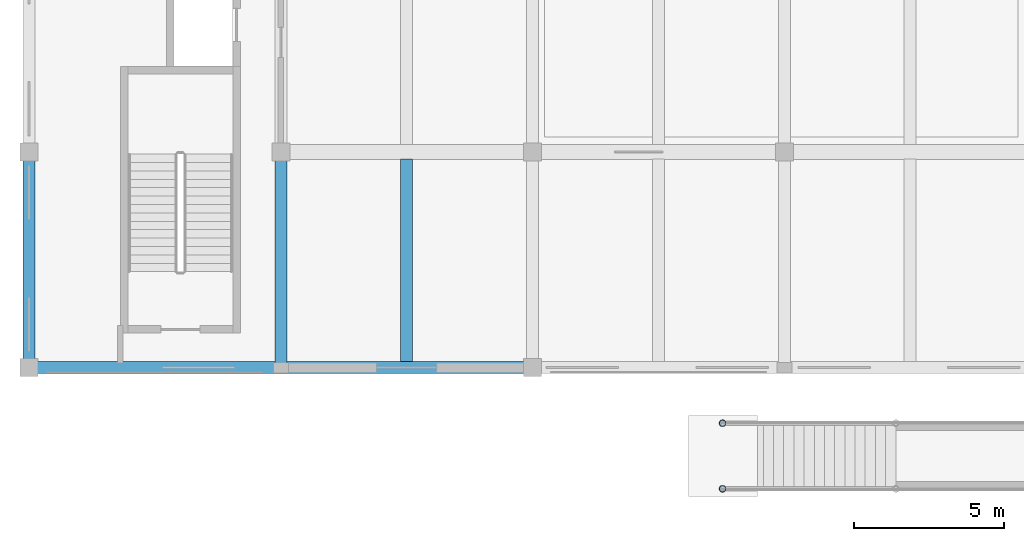
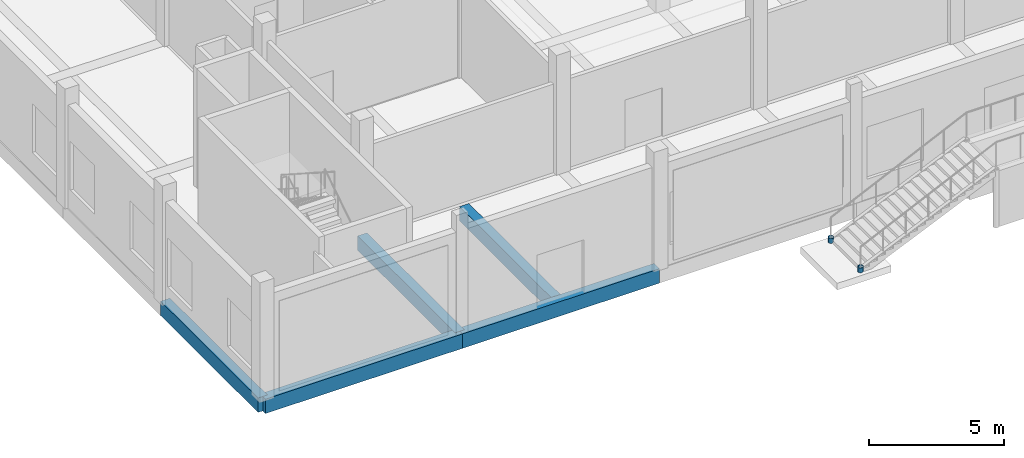
# One storey, part 8 of 41: 5 beams, 2 columns.
"""IFC4 building model written with IfcOpenShell, lengths in metres."""

from ifc_helpers import new_model, si_unit, direction, frame, origin, origin_2d, place, context, subcontext, project, spatial, rectangle, hollow_circle, extrude, material, material_profile, profile_set, type_object, element, save


model = new_model("IFC4")

# Units and contexts
model_context = context("Model", 3, precision=1e-05, world=origin(), true_north=direction((0.0, 1.0)))
body_context = subcontext(model_context, "Body", "Model", "MODEL_VIEW")
ifc_project = project(units=[si_unit("LENGTHUNIT", "METRE"), si_unit("AREAUNIT", "SQUARE_METRE"), si_unit("VOLUMEUNIT", "CUBIC_METRE"), si_unit("PLANEANGLEUNIT", "RADIAN"), si_unit("MASSUNIT", "GRAM", prefix="KILO")], contexts=[model_context])

# Site, building, storey
site_placement = place(None, origin())
site = spatial("IfcSite", under=ifc_project, at=site_placement, CompositionType="ELEMENT")
building_placement = place(site_placement, origin())
building = spatial("IfcBuilding", under=site, at=building_placement, Name="Kahlenmark Community Centre", CompositionType="ELEMENT")
storey_placement = place(building_placement, origin())
storey = spatial("IfcBuildingStorey", under=building, at=storey_placement, Name="L00", CompositionType="ELEMENT", Elevation=0.0)

# Columns
ifc_material_1 = material(Name="Steel S355", Category="steel")
ifc_material_profile_1 = material_profile(ifc_material_1, hollow_circle(Radius=0.109619140625, WallThickness=0.010009765625, at=origin_2d()), Name="CHS 219.1x10")
ifc_profile_set_1 = profile_set([ifc_material_profile_1], Name="Steel S355")
column_type = type_object("IfcColumnType", Name="CT-ST09-CHS219", PredefinedType="COLUMN", material=ifc_profile_set_1)
for number, where, z_axis, x_axis, name in (
    (1, (27.139892578125, 4.7548828125, 0.0), (0.0, 0.0, 1.0), (1.0, 0.0, 0.0), "Ceremonial stair pier column L00-1"),
    (2, (27.139892578125, 6.945068359375, 0.0), (0.0, 0.0, 1.0), (1.0, 0.0, 0.0), "Ceremonial stair pier column L00-2"),
):
    element("IfcColumn", number, at=place(storey_placement, frame(where, z_axis=z_axis, x_axis=x_axis)), inside=storey, type_object=column_type, Name=name, PredefinedType="COLUMN", context=body_context, shape_type="SweptSolid", body=[
        extrude(hollow_circle(Radius=0.109619140625, WallThickness=0.010009765625, at=origin_2d()), origin(), (0.0, 0.0, 1.0), 0.219970703125),
    ])

# Beams
ifc_material_2 = material(Name="Concrete C35/45", Category="concrete")
ifc_material_profile_2 = material_profile(ifc_material_2, rectangle(XDim=0.39990234375, YDim=0.64990234375, at=origin_2d()), Name="RC 400x650")
ifc_profile_set_2 = profile_set([ifc_material_profile_2], Name="Concrete C35/45")
beam_type_1 = type_object("IfcBeamType", Name="BT-BEAM-RC400x650", PredefinedType="BEAM", material=ifc_profile_set_2)
beam_1_placement = place(storey_placement, frame((12.39990234375, 8.800048828125, -0.324951171875), z_axis=(0.0, 1.0, 0.0), x_axis=(-1.0, 0.0, 0.0)))
element("IfcBeam", 3, at=beam_1_placement, inside=storey, type_object=beam_type_1, Name="L00 beam BG-RC400x650", PredefinedType="BEAM", context=body_context, shape_type="SweptSolid", body=[
    extrude(rectangle(XDim=0.39990234375, YDim=0.64990234375, at=origin_2d()), origin(), (0.0, 0.0, 1.0), 7.199951171875),
])
ifc_material_profile_3 = material_profile(ifc_material_2, rectangle(XDim=0.39990234375, YDim=0.64990234375, at=origin_2d()), Name="RC 400x650")
ifc_profile_set_3 = profile_set([ifc_material_profile_3], Name="Concrete C35/45")
beam_type_2 = type_object("IfcBeamType", Name="BT-JOIST-RC400x650", PredefinedType="JOIST", material=ifc_profile_set_3)
beam_2_placement = place(storey_placement, frame((16.60009765625, 8.998046875, -0.324951171875), z_axis=(0.0, 1.0, 0.0), x_axis=(-1.0, 0.0, 0.0)))
element("IfcBeam", 4, at=beam_2_placement, inside=storey, type_object=beam_type_2, Name="L00 joist BJ-RC400x650", PredefinedType="JOIST", context=body_context, shape_type="SweptSolid", body=[
    extrude(rectangle(XDim=0.39990234375, YDim=0.64990234375, at=origin_2d()), origin(), (0.0, 0.0, 1.0), 6.75390625),
])
ifc_material_profile_4 = material_profile(ifc_material_2, rectangle(XDim=0.39990234375, YDim=0.64990234375, at=origin_2d()), Name="RC 400x650")
ifc_profile_set_4 = profile_set([ifc_material_profile_4], Name="Concrete C35/45")
beam_type_3 = type_object("IfcBeamType", Name="BT-SPANDREL-RC400x650", PredefinedType="SPANDREL", material=ifc_profile_set_4)
beam_3_placement = place(storey_placement, frame((4.0, 8.800048828125, -0.324951171875), z_axis=(1.0, 0.0, 0.0), x_axis=(0.0, 1.0, 0.0)))
element("IfcBeam", 5, at=beam_3_placement, inside=storey, type_object=beam_type_3, Name="L00 spandrel SP-RC400x650", PredefinedType="SPANDREL", context=body_context, shape_type="SweptSolid", body=[
    extrude(rectangle(XDim=0.39990234375, YDim=0.64990234375, at=origin_2d()), origin(), (0.0, 0.0, 1.0), 8.39990234375),
])
beam_4_placement = place(storey_placement, frame((12.39990234375, 8.800048828125, -0.324951171875), z_axis=(1.0, 0.0, 0.0), x_axis=(0.0, 1.0, 0.0)))
element("IfcBeam", 6, at=beam_4_placement, inside=storey, type_object=beam_type_3, Name="L00 spandrel SP-RC400x650", PredefinedType="SPANDREL", context=body_context, shape_type="SweptSolid", body=[
    extrude(rectangle(XDim=0.39990234375, YDim=0.64990234375, at=origin_2d()), origin(), (0.0, 0.0, 1.0), 8.400146484375),
])
beam_5_placement = place(storey_placement, frame((4.0, 8.800048828125, -0.324951171875), z_axis=(0.0, 1.0, 0.0), x_axis=(-1.0, 0.0, 0.0)))
element("IfcBeam", 7, at=beam_5_placement, inside=storey, type_object=beam_type_3, Name="L00 spandrel SP-RC400x650", PredefinedType="SPANDREL", context=body_context, shape_type="SweptSolid", body=[
    extrude(rectangle(XDim=0.39990234375, YDim=0.64990234375, at=origin_2d()), origin(), (0.0, 0.0, 1.0), 7.199951171875),
])

save(model, "model.ifc")
